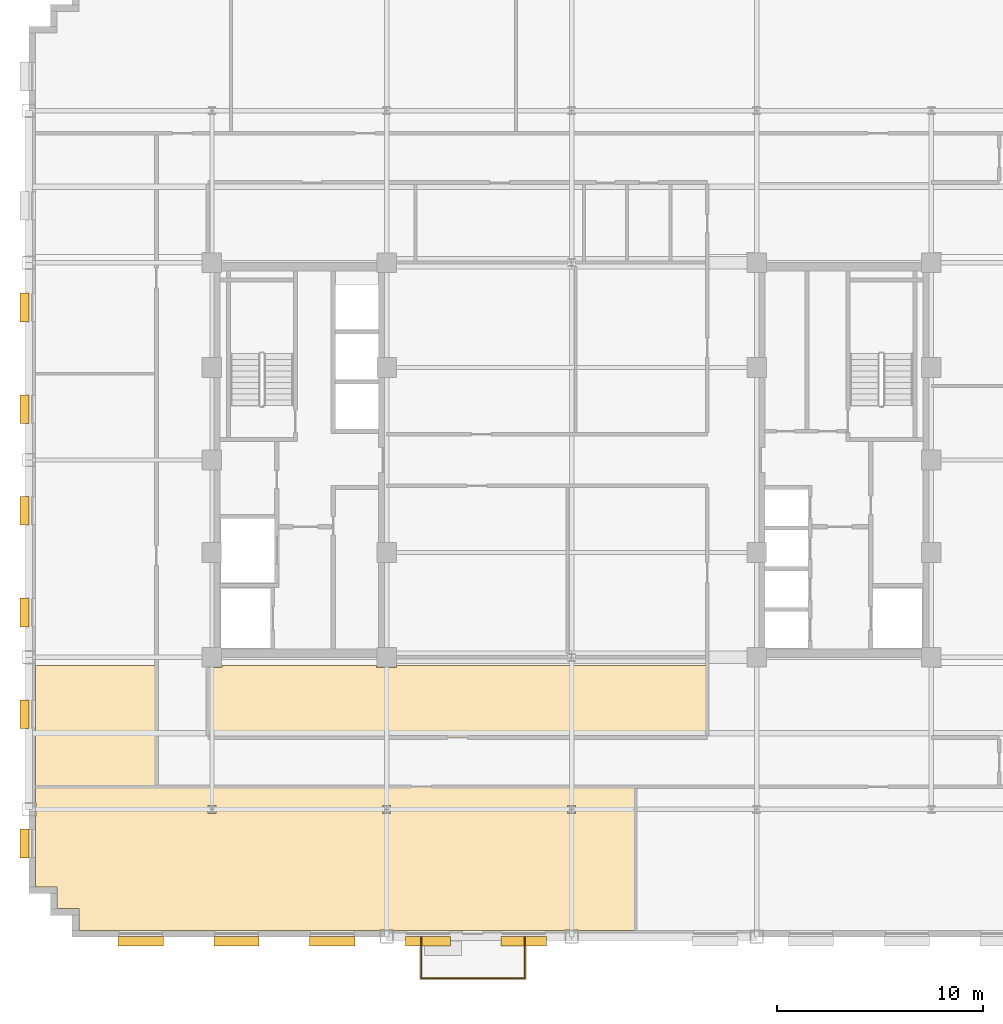
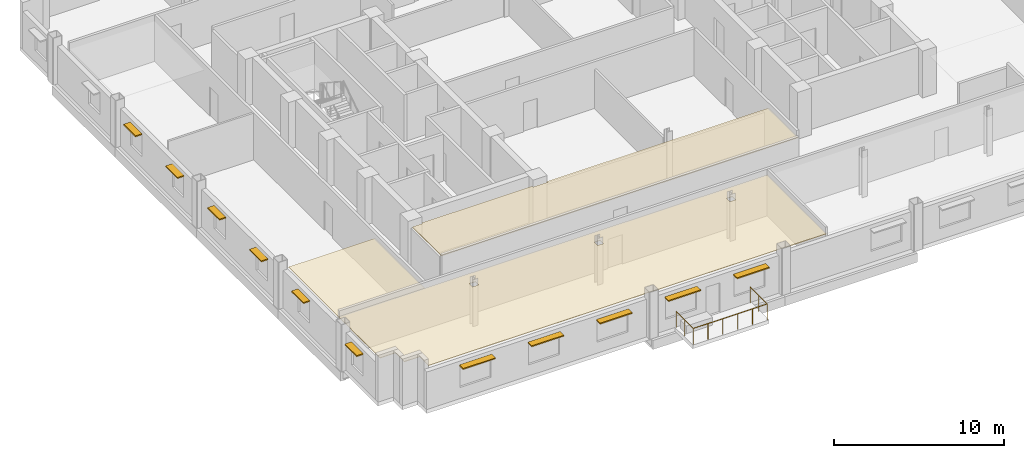
# One storey, part 11 of 14: 11 shading devices, 3 coverings, 1 railing.
"""IFC4 building model written with IfcOpenShell, lengths in metres."""

from ifc_helpers import new_model, si_unit, direction, frame, origin, origin_2d, place, context, subcontext, project, spatial, polyline, rectangle, circle, outline, extrude, source, transform, mapped, material, layer, layer_set, type_object, type_shapes, element, save


model = new_model("IFC4")

# Units and contexts
model_context = context("Model", 3, precision=1e-05, world=origin(), true_north=direction((0.0, 1.0)))
body_context = subcontext(model_context, "Body", "Model", "MODEL_VIEW")
ifc_project = project(units=[si_unit("LENGTHUNIT", "METRE"), si_unit("AREAUNIT", "SQUARE_METRE"), si_unit("VOLUMEUNIT", "CUBIC_METRE"), si_unit("PLANEANGLEUNIT", "RADIAN"), si_unit("MASSUNIT", "GRAM", prefix="KILO")], contexts=[model_context])

# Site, building, storey
site_placement = place(None, origin())
site = spatial("IfcSite", under=ifc_project, at=site_placement, CompositionType="ELEMENT")
building_placement = place(site_placement, origin())
building = spatial("IfcBuilding", under=site, at=building_placement, Name="Nuvemarco Arch Tower", CompositionType="ELEMENT")
storey_placement = place(building_placement, frame((0.0, 0.0, 145.75)))
storey = spatial("IfcBuildingStorey", under=building, at=storey_placement, Name="L38", CompositionType="ELEMENT", Elevation=145.75)

# Coverings
ifc_material_1 = material(Name="Mineral acoustic ceiling tile")
ifc_layer = layer(ifc_material_1, 0.0400390625, Name="COV-ACOUSTIC-CLG")
ifc_layer_set = layer_set([ifc_layer], Name="Mineral acoustic ceiling tile")
covering_type = type_object("IfcCoveringType", Name="COV-ACOUSTIC-CLG", PredefinedType="CEILING", material=ifc_layer_set)
covering_1_placement = place(storey_placement, frame((0.0, 0.0, 2.85009765625)))
element("IfcCovering", 1, at=covering_1_placement, inside=storey, type_object=covering_type, Name="L38 suspended acoustic ceiling 1", PredefinedType="CEILING", context=body_context, shape_type="SweptSolid", body=[
    extrude(outline(polyline([(-26.080078125, -20.780029296875), (-26.080078125, -17.340087890625), (-26.06005859375, -17.340087890625), (-26.06005859375, -16.659912109375), (-26.080078125, -16.659912109375), (-26.080078125, -15.89990234375), (-20.199951171875, -15.89990234375), (-17.699951171875, -15.89990234375), (3.10009765625, -15.89990234375), (3.10009765625, -22.8798828125), (0.340087890625, -22.8798828125), (0.340087890625, -22.860107421875), (-0.340087890625, -22.860107421875), (-0.340087890625, -22.8798828125), (-8.659912109375, -22.8798828125), (-8.659912109375, -22.860107421875), (-9.340087890625, -22.860107421875), (-9.340087890625, -22.8798828125), (-23.97998046875, -22.8798828125), (-23.97998046875, -21.830078125), (-25.030029296875, -21.830078125), (-25.030029296875, -20.780029296875), (-26.080078125, -20.780029296875)]), holes=[polyline([(-17.304931640625, -16.804931640625), (-17.695068359375, -16.804931640625), (-17.695068359375, -17.195068359375), (-17.304931640625, -17.195068359375), (-17.304931640625, -16.804931640625)]), polyline([(-8.804931640625, -17.195068359375), (-8.804931640625, -16.804931640625), (-9.195068359375, -16.804931640625), (-9.195068359375, -17.195068359375), (-8.804931640625, -17.195068359375)]), polyline([(0.195068359375, -17.195068359375), (0.195068359375, -16.804931640625), (-0.195068359375, -16.804931640625), (-0.195068359375, -17.195068359375), (0.195068359375, -17.195068359375)])]), origin(), (0.0, 0.0, 1.0), 0.039794921875),
])
covering_2_placement = place(storey_placement, frame((0.0, 0.0, 2.85009765625)))
element("IfcCovering", 2, at=covering_2_placement, inside=storey, type_object=covering_type, Name="L38 suspended acoustic ceiling 5", PredefinedType="CEILING", context=body_context, shape_type="SweptSolid", body=[
    extrude(outline(polyline([(-20.199951171875, -13.5), (-20.199951171875, -15.89990234375), (-26.080078125, -15.89990234375), (-26.080078125, -10.0), (-20.199951171875, -10.0), (-20.199951171875, -13.5)])), origin(), (0.0, 0.0, 1.0), 0.039794921875),
])
covering_3_placement = place(storey_placement, frame((0.0, 0.0, 2.85009765625)))
element("IfcCovering", 3, at=covering_3_placement, inside=storey, type_object=covering_type, Name="L38 suspended acoustic ceiling 8", PredefinedType="CEILING", context=body_context, shape_type="SweptSolid", body=[
    extrude(outline(polyline([(-9.489990234375, -10.090087890625), (-8.510009765625, -10.090087890625), (-8.510009765625, -10.0), (6.60009765625, -10.0), (6.60009765625, -13.5), (-17.699951171875, -13.5), (-17.699951171875, -10.090087890625), (-17.010009765625, -10.090087890625), (-17.010009765625, -10.0), (-9.489990234375, -10.0), (-9.489990234375, -10.090087890625)])), origin(), (0.0, 0.0, 1.0), 0.039794921875),
])

# Railing
ifc_material_2 = material(Name="Dark anodised balustrade steel S355", Category="steel")
railing_type = type_object("IfcRailingType", Name="RL-TERR-GUARD", PredefinedType="BALUSTRADE", material=ifc_material_2)
railing_placement = place(storey_placement, frame((-7.320068359375, -23.199951171875, 0.0)))
element("IfcRailing", 4, at=railing_placement, inside=storey, type_object=railing_type, Name="L38 tree balcony perimeter balustrade guard", PredefinedType="BALUSTRADE", context=body_context, shape_type="SweptSolid", body=[
    extrude(circle(Radius=0.02392578125, at=origin_2d()), frame((0.0, 0.0, 1.1259765625), z_axis=(0.0, -1.0, 0.0), x_axis=(1.0, 0.0, 0.0)), (0.0, 0.0, 1.0), 2.02001953125),
    extrude(circle(Radius=0.02392578125, at=origin_2d()), frame((0.0, -2.02001953125, 1.1259765625), z_axis=(1.0, 0.0, 0.0), x_axis=(0.0, 1.0, 0.0)), (0.0, 0.0, 1.0), 5.0400390625),
    extrude(circle(Radius=0.02392578125, at=origin_2d()), frame((5.0400390625, -2.02001953125, 1.1259765625), z_axis=(0.0, 1.0, 0.0), x_axis=(-1.0, 0.0, 0.0)), (0.0, 0.0, 1.0), 2.02001953125),
    extrude(circle(Radius=0.02099609375, at=origin_2d()), origin(), (0.0, 0.0, 1.0), 1.101806640625),
    extrude(circle(Radius=0.02099609375, at=origin_2d()), frame((0.0, -1.010009765625, 0.0)), (0.0, 0.0, 1.0), 1.101806640625),
    extrude(circle(Radius=0.02099609375, at=origin_2d()), frame((0.0, -2.02001953125, 0.0)), (0.0, 0.0, 1.0), 1.101806640625),
    extrude(circle(Radius=0.02099609375, at=origin_2d()), frame((1.008056640625, -2.02001953125, 0.0)), (0.0, 0.0, 1.0), 1.101806640625),
    extrude(circle(Radius=0.02099609375, at=origin_2d()), frame((2.01611328125, -2.02001953125, 0.0)), (0.0, 0.0, 1.0), 1.101806640625),
    extrude(circle(Radius=0.02099609375, at=origin_2d()), frame((3.02392578125, -2.02001953125, 0.0)), (0.0, 0.0, 1.0), 1.101806640625),
    extrude(circle(Radius=0.02099609375, at=origin_2d()), frame((4.031982421875, -2.02001953125, 0.0)), (0.0, 0.0, 1.0), 1.101806640625),
    extrude(circle(Radius=0.02099609375, at=origin_2d()), frame((5.0400390625, -2.02001953125, 0.0)), (0.0, 0.0, 1.0), 1.101806640625),
    extrude(circle(Radius=0.02099609375, at=origin_2d()), frame((5.0400390625, -1.010009765625, 0.0)), (0.0, 0.0, 1.0), 1.101806640625),
    extrude(circle(Radius=0.02099609375, at=origin_2d()), frame((5.0400390625, 0.0, 0.0)), (0.0, 0.0, 1.0), 1.101806640625),
])

# Shading devices
ifc_material_3 = material(Name="Anodised aluminium 6063-T6", Category="aluminium")
shading_device_type_1 = type_object("IfcShadingDeviceType", Name="SHD-BRISE-SOLEIL", PredefinedType="USERDEFINED", material=ifc_material_3)
shared_shape_1 = source(origin(), body_context, "Body", "SweptSolid", [
    extrude(rectangle(XDim=2.199951171875, YDim=0.449951171875, at=origin_2d()), origin(), (0.0, 0.0, 1.0), 0.080078125),
])
type_shapes(shading_device_type_1, [shared_shape_1])
for number, where, z_axis, x_axis, name in (
    (5, (-20.969970703125, -23.4150390625, 2.364990234375), (0.0, 0.0, 1.0), (1.0, 0.0, 0.0), "L38 horizontal brise-soleil sunshade"),
    (6, (-16.31005859375, -23.4150390625, 2.364990234375), (0.0, 0.0, 1.0), (1.0, 0.0, 0.0), "L38 horizontal brise-soleil sunshade"),
    (7, (-11.64990234375, -23.4150390625, 2.364990234375), (0.0, 0.0, 1.0), (1.0, 0.0, 0.0), "L38 horizontal brise-soleil sunshade"),
    (8, (-6.989990234375, -23.4150390625, 2.364990234375), (0.0, 0.0, 1.0), (1.0, 0.0, 0.0), "L38 horizontal brise-soleil sunshade"),
    (9, (-2.330078125, -23.4150390625, 2.364990234375), (0.0, 0.0, 1.0), (1.0, 0.0, 0.0), "L38 horizontal brise-soleil sunshade"),
):
    element("IfcShadingDevice", number, at=place(storey_placement, frame(where, z_axis=z_axis, x_axis=x_axis)), inside=storey, type_object=shading_device_type_1, Name=name, ObjectType="SUNSHADE", PredefinedType="USERDEFINED", context=body_context, shape_type="MappedRepresentation", body=[
        mapped(shared_shape_1, transform((0.0, 0.0, 0.0), scale=1.0)),
    ])
shading_device_type_2 = type_object("IfcShadingDeviceType", Name="SHD-BRISE-NARROW", PredefinedType="USERDEFINED", material=ifc_material_3)
shared_shape_2 = source(origin(), body_context, "Body", "SweptSolid", [
    extrude(rectangle(XDim=1.39990234375, YDim=0.449951171875, at=origin_2d()), origin(), (0.0, 0.0, 1.0), 0.080078125),
])
type_shapes(shading_device_type_2, [shared_shape_2])
for number, where, z_axis, x_axis, name in (
    (10, (-26.614990234375, -18.660888671875, 2.364990234375), (0.0, 0.0, 1.0), (0.0, 1.0, 0.0), "L38 horizontal brise-soleil sunshade"),
    (11, (-26.614990234375, -12.364990234375, 2.364990234375), (0.0, 0.0, 1.0), (0.0, 1.0, 0.0), "L38 horizontal brise-soleil sunshade"),
    (12, (-26.614990234375, -7.4189453125, 2.364990234375), (0.0, 0.0, 1.0), (0.0, 1.0, 0.0), "L38 horizontal brise-soleil sunshade"),
    (13, (-26.614990234375, -2.472900390625, 2.364990234375), (0.0, 0.0, 1.0), (0.0, 1.0, 0.0), "L38 horizontal brise-soleil sunshade"),
    (14, (-26.614990234375, 2.472900390625, 2.364990234375), (0.0, 0.0, 1.0), (0.0, 1.0, 0.0), "L38 horizontal brise-soleil sunshade"),
    (15, (-26.614990234375, 7.4189453125, 2.364990234375), (0.0, 0.0, 1.0), (0.0, 1.0, 0.0), "L38 horizontal brise-soleil sunshade"),
):
    element("IfcShadingDevice", number, at=place(storey_placement, frame(where, z_axis=z_axis, x_axis=x_axis)), inside=storey, type_object=shading_device_type_2, Name=name, ObjectType="SUNSHADE", PredefinedType="USERDEFINED", context=body_context, shape_type="MappedRepresentation", body=[
        mapped(shared_shape_2, transform((0.0, 0.0, 0.0), scale=1.0)),
    ])

save(model, "model.ifc")
